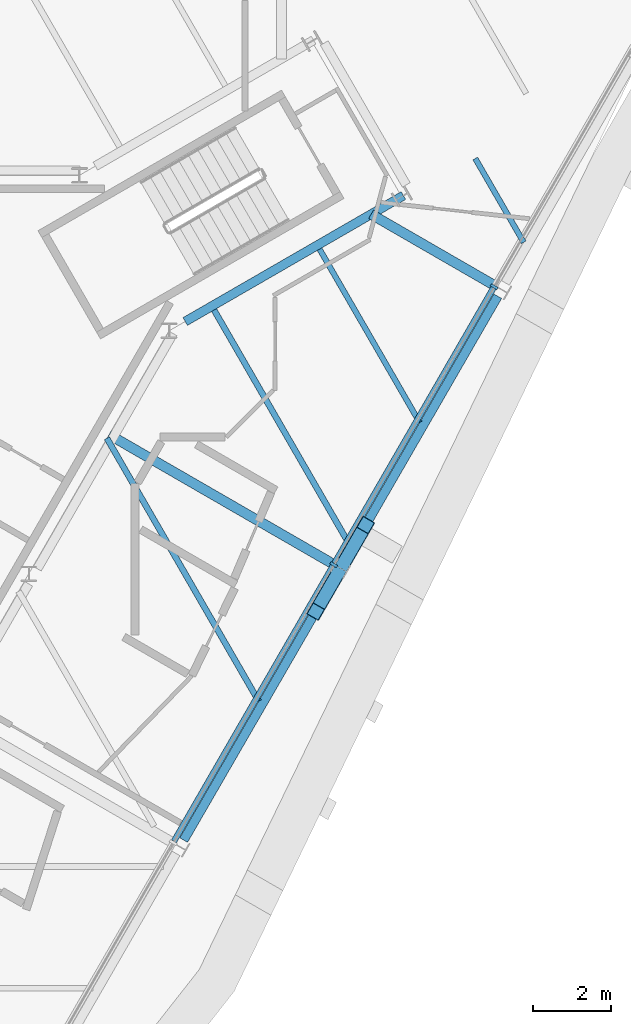
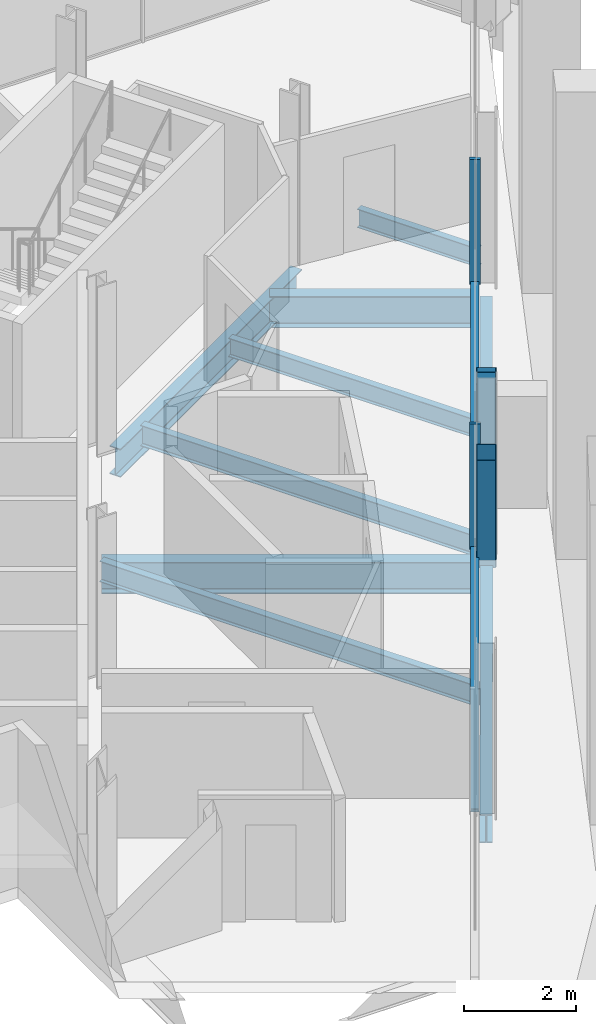
# One storey, part 4 of 12: 9 beams, 6 members, 1 element without a shape of its own.
"""IFC4 building model written with IfcOpenShell, lengths in metres."""

from ifc_helpers import new_model, si_unit, direction, frame, origin, origin_2d, place, context, subcontext, project, spatial, rectangle, hollow_rectangle, i_section, extrude, material, material_profile, profile_set, type_object, element, aggregate, save


model = new_model("IFC4")

# Units and contexts
model_context = context("Model", 3, precision=1e-05, world=origin(), true_north=direction((0.0, 1.0)))
body_context = subcontext(model_context, "Body", "Model", "MODEL_VIEW")
ifc_project = project(units=[si_unit("LENGTHUNIT", "METRE"), si_unit("AREAUNIT", "SQUARE_METRE"), si_unit("VOLUMEUNIT", "CUBIC_METRE"), si_unit("PLANEANGLEUNIT", "RADIAN"), si_unit("MASSUNIT", "GRAM", prefix="KILO")], contexts=[model_context])

# Site, building, storey
site_placement = place(None, origin())
site = spatial("IfcSite", under=ifc_project, at=site_placement, CompositionType="ELEMENT")
building_placement = place(site_placement, origin())
building = spatial("IfcBuilding", under=site, at=building_placement, Name="Verrane Prism Tower", CompositionType="ELEMENT")
storey_placement = place(building_placement, frame((0.0, 0.0, 264.0)))
storey = spatial("IfcBuildingStorey", under=building, at=storey_placement, Name="L66", CompositionType="ELEMENT", Elevation=264.0)

# Beam
ifc_material_1 = material(Name="Steel A992", Category="steel")
ifc_material_profile_1 = material_profile(ifc_material_1, i_section(OverallWidth=0.23046875, OverallDepth=0.6171875, WebThickness=0.01318359375, FlangeThickness=0.022216796875, FilletRadius=0.012939453125, at=origin_2d()), Name="W24x94")
ifc_profile_set_1 = profile_set([ifc_material_profile_1], Name="Steel A992")
beam_type_1 = type_object("IfcBeamType", Name="Core ring girder W24x94", PredefinedType="BEAM", material=ifc_profile_set_1)
beam_1_placement = place(storey_placement, frame((9.898193359375, 3.061279296875, -0.55859375), z_axis=(0.866080992722, 0.499903704773, 0.0), x_axis=(-0.499903704773, 0.866080992722, 0.0)))
element("IfcBeam", 1, at=beam_1_placement, inside=storey, type_object=beam_type_1, Name="Core ring girder L66", PredefinedType="BEAM", context=body_context, shape_type="SweptSolid", body=[
    extrude(i_section(OverallWidth=0.23046875, OverallDepth=0.6171875, WebThickness=0.01318359375, FlangeThickness=0.022216796875, FilletRadius=0.012939453125, at=origin_2d()), origin(), (0.0, 0.0, 1.0), 6.451904296875),
])

# Members
ifc_material_2 = material(Name="Steel A500 Grade C", Category="steel")
ifc_material_profile_2 = material_profile(ifc_material_2, hollow_rectangle(XDim=0.355712890625, YDim=0.355712890625, WallThickness=0.0126953125, InnerFilletRadius=0.00634765625, OuterFilletRadius=0.01904296875, at=origin_2d()), Name="HSS14x14x1/2")
ifc_profile_set_2 = profile_set([ifc_material_profile_2], Name="Steel A500 Grade C")
member_type_1 = type_object("IfcMemberType", Name="Facade brace HSS14x14x1/2", PredefinedType="BRACE", material=ifc_profile_set_2)
member_1_placement = place(storey_placement, frame((13.824951171875, -3.35546875, -0.171630859375), z_axis=(-0.174047542198, -0.301096436732, 0.937575804318), x_axis=(0.865764526148, -0.500451581339, 0.0)))
element("IfcMember", 2, at=member_1_placement, inside=storey, type_object=member_type_1, Name="Facade brace SE2 L66", PredefinedType="BRACE", context=body_context, shape_type="SweptSolid", body=[
    extrude(hollow_rectangle(XDim=0.355712890625, YDim=0.355712890625, WallThickness=0.0126953125, InnerFilletRadius=0.00634765625, OuterFilletRadius=0.01904296875, at=origin_2d()), origin(), (0.0, 0.0, 1.0), 3.36083984375),
])
member_2_placement = place(storey_placement, frame((13.93505859375, -3.16455078125, -0.171630859375), z_axis=(0.174020878561, 0.301558717773, 0.937432170111), x_axis=(-0.866130014302, 0.499818765479, 0.0)))
element("IfcMember", 3, at=member_2_placement, inside=storey, type_object=member_type_1, Name="Facade brace SE3 L66", PredefinedType="BRACE", context=body_context, shape_type="SweptSolid", body=[
    extrude(hollow_rectangle(XDim=0.355712890625, YDim=0.355712890625, WallThickness=0.0126953125, InnerFilletRadius=0.00634765625, OuterFilletRadius=0.01904296875, at=origin_2d()), origin(), (0.0, 0.0, 1.0), 3.361328125),
])

# Beams
ifc_material_3 = material(Name="Steel A992", Category="steel")
ifc_material_profile_3 = material_profile(ifc_material_3, i_section(OverallWidth=0.140380859375, OverallDepth=0.40380859375, WebThickness=0.007080078125, FlangeThickness=0.01123046875, FilletRadius=0.01025390625, at=origin_2d()), Name="W16x31")
ifc_profile_set_3 = profile_set([ifc_material_profile_3], Name="Steel A992")
beam_type_2 = type_object("IfcBeamType", Name="Floor beam W16x31", PredefinedType="BEAM", material=ifc_profile_set_3)
beam_2_placement = place(storey_placement, frame((15.902099609375, 0.474609375, -0.36181640625), z_axis=(-0.500011000363, 0.866019052629, 0.0), x_axis=(-0.866019052629, -0.500011000363, 0.0)))
element("IfcBeam", 4, at=beam_2_placement, inside=storey, type_object=beam_type_2, Name="Floor beam L66", PredefinedType="BEAM", context=body_context, shape_type="SweptSolid", body=[
    extrude(i_section(OverallWidth=0.140380859375, OverallDepth=0.40380859375, WebThickness=0.007080078125, FlangeThickness=0.01123046875, FilletRadius=0.01025390625, at=origin_2d()), origin(), (0.0, 0.0, 1.0), 5.126953125),
])
beam_3_placement = place(storey_placement, frame((18.565185546875, 5.089599609375, -0.36181640625), z_axis=(-0.500006734102, 0.866021515814, 0.0), x_axis=(-0.866021515814, -0.500006734102, 0.0)))
element("IfcBeam", 5, at=beam_3_placement, inside=storey, type_object=beam_type_2, Name="Floor beam L66", PredefinedType="BEAM", context=body_context, shape_type="SweptSolid", body=[
    extrude(i_section(OverallWidth=0.140380859375, OverallDepth=0.40380859375, WebThickness=0.007080078125, FlangeThickness=0.01123046875, FilletRadius=0.01025390625, at=origin_2d()), origin(), (0.0, 0.0, 1.0), 2.47802734375),
])
ifc_material_4 = material(Name="Steel A992", Category="steel")
ifc_material_profile_4 = material_profile(ifc_material_4, i_section(OverallWidth=0.15234375, OverallDepth=0.449462890625, WebThickness=0.007568359375, FlangeThickness=0.0107421875, FilletRadius=0.01025390625, at=origin_2d()), Name="W18x35")
ifc_profile_set_4 = profile_set([ifc_material_profile_4], Name="Steel A992")
beam_type_3 = type_object("IfcBeamType", Name="Floor beam W18x35", PredefinedType="BEAM", material=ifc_profile_set_4)
beam_4_placement = place(storey_placement, frame((11.78076171875, -6.6630859375, -0.384765625), z_axis=(-0.499998764326, 0.8660261172, 0.0), x_axis=(-0.8660261172, -0.499998764326, 0.0)))
element("IfcBeam", 6, at=beam_4_placement, inside=storey, type_object=beam_type_3, Name="Floor beam L66", PredefinedType="BEAM", context=body_context, shape_type="SweptSolid", body=[
    extrude(i_section(OverallWidth=0.15234375, OverallDepth=0.449462890625, WebThickness=0.007568359375, FlangeThickness=0.0107421875, FilletRadius=0.01025390625, at=origin_2d()), origin(), (0.0, 0.0, 1.0), 7.77587890625),
])
beam_5_placement = place(storey_placement, frame((14.1015625, -2.64599609375, -0.384765625), z_axis=(-0.49999287541, 0.866029517129, 0.0), x_axis=(-0.866029517129, -0.49999287541, 0.0)))
element("IfcBeam", 7, at=beam_5_placement, inside=storey, type_object=beam_type_3, Name="Floor beam L66", PredefinedType="BEAM", context=body_context, shape_type="SweptSolid", body=[
    extrude(i_section(OverallWidth=0.15234375, OverallDepth=0.449462890625, WebThickness=0.007568359375, FlangeThickness=0.0107421875, FilletRadius=0.01025390625, at=origin_2d()), origin(), (0.0, 0.0, 1.0), 6.92919921875),
])

# Curtain wall, members
ifc_material_5 = material(Name="Aluminium framed insulated glazing", Category="aluminium")
curtain_wall_type = type_object("IfcCurtainWallType", Name="Curtain wall CW-A 8400 module", PredefinedType="NOTDEFINED", material=ifc_material_5)
curtain_wall_placement = place(storey_placement, origin())
curtain_wall = element("IfcCurtainWall", 8, at=curtain_wall_placement, inside=storey, type_object=curtain_wall_type, Name="Glazed curtain wall south-east face L66", PredefinedType="NOTDEFINED")
ifc_material_6 = material(Name="Aluminium alloy 6063-T6", Category="aluminium")
ifc_material_profile_5 = material_profile(ifc_material_6, rectangle(XDim=0.199951171875, YDim=0.070068359375, at=origin_2d()), Name="Mullion 70x200 aluminium")
ifc_profile_set_5 = profile_set([ifc_material_profile_5], Name="Aluminium alloy 6063-T6")
member_type_2 = type_object("IfcMemberType", Name="Mullion 70x200 aluminium", PredefinedType="MULLION", material=ifc_profile_set_5)
member_3_placement = place(storey_placement, frame((13.7001953125, -3.1650390625, 0.0), z_axis=(0.0, 0.0, 1.0), x_axis=(-0.866024861728, 0.500000938868, 0.0)))
member_3 = element("IfcMember", 9, at=member_3_placement, type_object=member_type_2, Name="CW66.6 mullion 4", PredefinedType="MULLION", context=body_context, shape_type="SweptSolid", body=[
    extrude(rectangle(XDim=0.199951171875, YDim=0.070068359375, at=origin_2d()), origin(), (0.0, 0.0, 1.0), 2.72314453125),
])
member_4_placement = place(storey_placement, frame((17.8095703125, 3.952392578125, 0.0), z_axis=(0.0, 0.0, 1.0), x_axis=(-0.866024861728, 0.500000938868, 0.0)))
member_4 = element("IfcMember", 10, at=member_4_placement, type_object=member_type_2, Name="CW66.6 mullion 5", PredefinedType="MULLION", context=body_context, shape_type="SweptSolid", body=[
    extrude(rectangle(XDim=0.199951171875, YDim=0.070068359375, at=origin_2d()), origin(), (0.0, 0.0, 1.0), 2.72314453125),
])

# Beams
ifc_material_7 = material(Name="Steel A992", Category="steel")
ifc_material_profile_6 = material_profile(ifc_material_7, i_section(OverallWidth=0.25390625, OverallDepth=0.683349609375, WebThickness=0.012451171875, FlangeThickness=0.01904296875, FilletRadius=0.01513671875, at=origin_2d()), Name="W27x94")
ifc_profile_set_6 = profile_set([ifc_material_profile_6], Name="Steel A992")
beam_type_4 = type_object("IfcBeamType", Name="Radial girder W27x94", PredefinedType="BEAM", material=ifc_profile_set_6)
beam_6_placement = place(storey_placement, frame((13.71728515625, -3.166015625, -0.5615234375), z_axis=(-0.866033637652, 0.499985738252, 0.0), x_axis=(-0.499985738252, -0.866033637652, 0.0)))
element("IfcBeam", 11, at=beam_6_placement, inside=storey, type_object=beam_type_4, Name="Radial girder L66", PredefinedType="BEAM", context=body_context, shape_type="SweptSolid", body=[
    extrude(i_section(OverallWidth=0.25390625, OverallDepth=0.683349609375, WebThickness=0.012451171875, FlangeThickness=0.01904296875, FilletRadius=0.01513671875, at=origin_2d()), origin(), (0.0, 0.0, 1.0), 6.662353515625),
])
beam_7_placement = place(storey_placement, frame((17.837158203125, 3.97412109375, -0.5615234375), z_axis=(-0.866040472627, 0.499973899091, 0.0), x_axis=(-0.499973899091, -0.866040472627, 0.0)))
element("IfcBeam", 12, at=beam_7_placement, inside=storey, type_object=beam_type_4, Name="Radial girder L66", PredefinedType="BEAM", context=body_context, shape_type="SweptSolid", body=[
    extrude(i_section(OverallWidth=0.25390625, OverallDepth=0.683349609375, WebThickness=0.012451171875, FlangeThickness=0.01904296875, FilletRadius=0.01513671875, at=origin_2d()), origin(), (0.0, 0.0, 1.0), 3.670166015625),
])
ifc_material_8 = material(Name="Steel A992", Category="steel")
ifc_material_profile_7 = material_profile(ifc_material_8, i_section(OverallWidth=0.23046875, OverallDepth=0.6171875, WebThickness=0.01318359375, FlangeThickness=0.022216796875, FilletRadius=0.012939453125, at=origin_2d()), Name="W24x94")
ifc_profile_set_7 = profile_set([ifc_material_profile_7], Name="Steel A992")
beam_type_5 = type_object("IfcBeamType", Name="Spandrel beam W24x94", PredefinedType="SPANDREL", material=ifc_profile_set_7)
beam_8_placement = place(storey_placement, frame((9.8583984375, -10.219482421875, -0.468505859375), z_axis=(0.500327915282, 0.865835999015, 0.0), x_axis=(-0.865835999015, 0.500327915282, 0.0)))
element("IfcBeam", 13, at=beam_8_placement, inside=storey, type_object=beam_type_5, Name="Spandrel beam L66", PredefinedType="SPANDREL", context=body_context, shape_type="SweptSolid", body=[
    extrude(i_section(OverallWidth=0.23046875, OverallDepth=0.6171875, WebThickness=0.01318359375, FlangeThickness=0.022216796875, FilletRadius=0.012939453125, at=origin_2d()), origin(), (0.0, 0.0, 1.0), 7.841064453125),
])
beam_9_placement = place(storey_placement, frame((13.978515625, -3.089599609375, -0.468505859375), z_axis=(0.499775405071, 0.866155034902, 0.0), x_axis=(-0.866155034902, 0.499775405071, 0.0)))
element("IfcBeam", 14, at=beam_9_placement, inside=storey, type_object=beam_type_5, Name="Spandrel beam L66", PredefinedType="SPANDREL", context=body_context, shape_type="SweptSolid", body=[
    extrude(i_section(OverallWidth=0.23046875, OverallDepth=0.6171875, WebThickness=0.01318359375, FlangeThickness=0.022216796875, FilletRadius=0.012939453125, at=origin_2d()), origin(), (0.0, 0.0, 1.0), 7.849609375),
])

# Member
ifc_material_9 = material(Name="Aluminium alloy 6063-T6", Category="aluminium")
ifc_material_profile_8 = material_profile(ifc_material_9, rectangle(XDim=0.14990234375, YDim=0.070068359375, at=origin_2d()), Name="Transom 70x150 aluminium")
ifc_profile_set_8 = profile_set([ifc_material_profile_8], Name="Aluminium alloy 6063-T6")
member_type_3 = type_object("IfcMemberType", Name="Transom 70x150 aluminium", PredefinedType="USERDEFINED", material=ifc_profile_set_8)
member_5_placement = place(storey_placement, frame((9.608642578125, -10.251953125, 0.034912109375), z_axis=(0.500006018292, 0.866021929094, 0.0), x_axis=(-0.866021929094, 0.500006018292, 0.0)))
member_5 = element("IfcMember", 15, at=member_5_placement, type_object=member_type_3, Name="CW66.6 transom 3", ObjectType="TRANSOM", PredefinedType="USERDEFINED", context=body_context, shape_type="SweptSolid", body=[
    extrude(rectangle(XDim=0.14990234375, YDim=0.070068359375, at=origin_2d()), origin(), (0.0, 0.0, 1.0), 8.1484375),
])

member_6_placement = place(storey_placement, frame((13.7177734375, -3.134521484375, 0.034912109375), z_axis=(0.500006018292, 0.866021929094, 0.0), x_axis=(-0.866021929094, 0.500006018292, 0.0)))
member_6 = element("IfcMember", 16, at=member_6_placement, type_object=member_type_3, Name="CW66.6 transom 4", ObjectType="TRANSOM", PredefinedType="USERDEFINED", context=body_context, shape_type="SweptSolid", body=[
    extrude(rectangle(XDim=0.14990234375, YDim=0.070068359375, at=origin_2d()), origin(), (0.0, 0.0, 1.0), 8.1484375),
])

aggregate(curtain_wall, [member_3, member_4, member_5, member_6])

save(model, "model.ifc")
